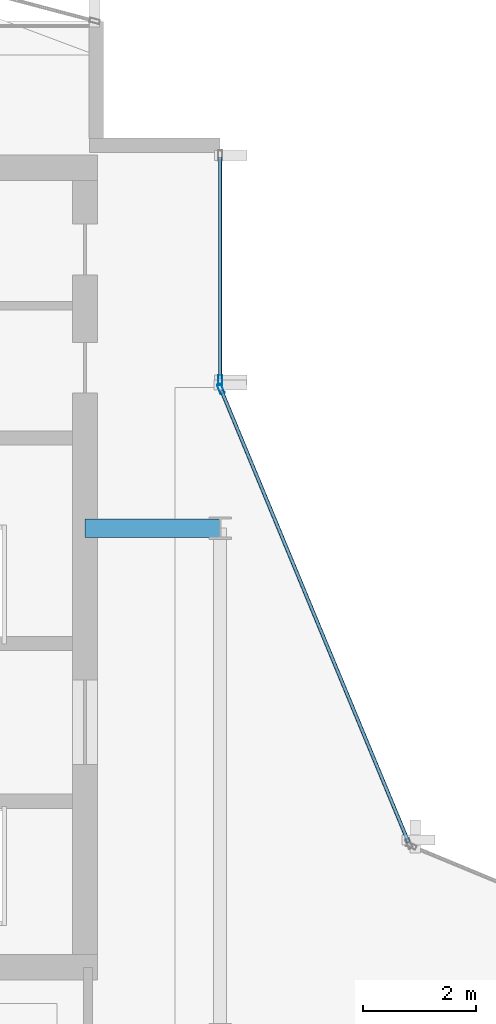
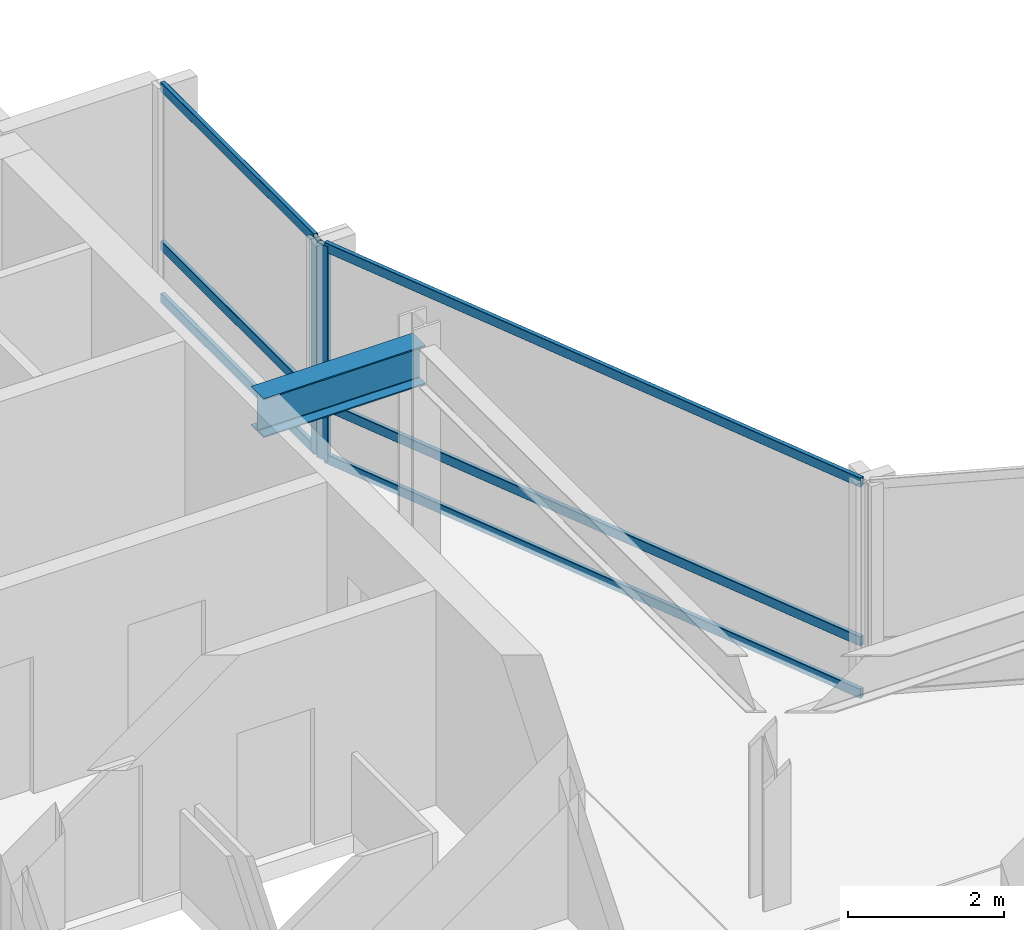
# One storey, part 17 of 27: 8 members, 1 beam, 2 elements without a shape of their own.
"""IFC4 building model written with IfcOpenShell, lengths in metres."""

import ifcopenshell
import ifcopenshell.guid

model = None  # the IFC model being written
_history = None  # IfcOwnerHistory: only IFC2X3 demands one
_inside = {}  # id of a spatial element -> (the spatial element, [elements in it])
_under = {}  # id of a project, library or spatial element -> (it, [spatial elements below it])
_declared = {}  # id of a project -> (the project, [libraries it declares])
_typed = {}  # id of a type object -> (the type object, [elements of that type])
_made_of = {}  # id of a material, layer set ... -> (it, [elements and type objects made of it])


def new_model(schema):
    """Start an empty IFC model of exactly this schema.

    Asked for "IFC4X3", IfcOpenShell would pick the latest addendum, in which some entities
    have other attributes; the version numbers below select the first issue.
    IFC2X3 requires an IfcOwnerHistory on every rooted entity: one is made here for all.
    """
    global model, _history
    if schema == "IFC4X3":
        model = ifcopenshell.file(schema_version=(4, 3, 0, 0))
    else:
        model = ifcopenshell.file(schema=schema)
    _inside.clear()
    _under.clear()
    _declared.clear()
    _typed.clear()
    _made_of.clear()
    _history = None
    if model.schema == "IFC2X3":
        org = make("IfcOrganization", Name="unknown")
        user = make(
            "IfcPersonAndOrganization",
            ThePerson=make("IfcPerson", FamilyName="unknown"),
            TheOrganization=org,
        )
        app = make(
            "IfcApplication",
            ApplicationDeveloper=org,
            Version="unknown",
            ApplicationFullName="unknown",
            ApplicationIdentifier="unknown",
        )
        _history = make(
            "IfcOwnerHistory",
            OwningUser=user,
            OwningApplication=app,
            ChangeAction="ADDED",
            CreationDate=0,
        )
    return model


def make(cls, **values):
    """One entity of the class cls with the attributes given. An attribute that is None is left unset."""
    return model.create_entity(
        cls, **{name: value for name, value in values.items() if value is not None}
    )


def rooted(cls, **values):
    """An entity with a GlobalId (a new one), such as an element, a storey or a relation."""
    return make(cls, GlobalId=ifcopenshell.guid.new(), OwnerHistory=_history, **values)


def si_unit(unit_type, name, prefix=None):
    """IfcSIUnit, for example si_unit("LENGTHUNIT", "METRE", prefix="MILLI")."""
    return make("IfcSIUnit", UnitType=unit_type, Prefix=prefix, Name=name)


def assignment(units):
    """IfcUnitAssignment: the units of a project."""
    return None if units is None else make("IfcUnitAssignment", Units=units)


def point(xyz):
    """IfcCartesianPoint."""
    return None if xyz is None else make("IfcCartesianPoint", Coordinates=xyz)


def direction(xyz):
    """IfcDirection."""
    return None if xyz is None else make("IfcDirection", DirectionRatios=xyz)


def frame(location, z_axis=None, x_axis=None):
    """IfcAxis2Placement3D, a coordinate frame: its origin and axes. An axis left out is left unset."""
    return make(
        "IfcAxis2Placement3D",
        Location=point(location),
        Axis=direction(z_axis),
        RefDirection=direction(x_axis),
    )


def frame_2d(location, x_axis=None):
    """IfcAxis2Placement2D, a coordinate frame in the plane: its origin and x axis."""
    return make(
        "IfcAxis2Placement2D", Location=point(location), RefDirection=direction(x_axis)
    )


def origin():
    """The frame at (0, 0, 0) with its axes left unset."""
    return frame((0.0, 0.0, 0.0))


def origin_2d():
    """The frame at (0, 0) in the plane with its x axis left unset."""
    return frame_2d((0.0, 0.0))


def place(relative_to, where):
    """IfcLocalPlacement: puts the frame where relative to a parent placement (None: the world)."""
    return make(
        "IfcLocalPlacement", PlacementRelTo=relative_to, RelativePlacement=where
    )


def context(
    kind, dimensions, precision=None, world=None, true_north=None, identifier=None
):
    """IfcGeometricRepresentationContext, for example the 3D "Model" context."""
    return make(
        "IfcGeometricRepresentationContext",
        ContextIdentifier=identifier,
        ContextType=kind,
        CoordinateSpaceDimension=dimensions,
        Precision=precision,
        WorldCoordinateSystem=world,
        TrueNorth=true_north,
    )


def subcontext(parent, identifier, kind, view, scale=None):
    """IfcGeometricRepresentationSubContext, for example "Body" below "Model"."""
    return make(
        "IfcGeometricRepresentationSubContext",
        ContextIdentifier=identifier,
        ContextType=kind,
        ParentContext=parent,
        TargetScale=scale,
        TargetView=view,
    )


def project(units=None, contexts=None):
    """IfcProject with its units and contexts."""
    return rooted(
        "IfcProject",
        Name="project",
        RepresentationContexts=contexts,
        UnitsInContext=assignment(units),
    )


def spatial(cls, under=None, at=None, **own):
    """A site, building, storey or space (cls), placed at a placement, below another one or the project."""
    s = rooted(cls, ObjectPlacement=at, **own)
    if under is not None:
        _under.setdefault(under.id(), (under, []))[1].append(s)
    return s


def profile(cls, at=None, kind="AREA", **sizes):
    """A parametric profile (cls). Its sizes go by their IFC names, for example OverallWidth=200.0."""
    return make(cls, ProfileType=kind, Position=at, **sizes)


def hollow_rectangle(**sizes):
    """IfcRectangleHollowProfileDef."""
    return profile("IfcRectangleHollowProfileDef", **sizes)


def i_section(**sizes):
    """IfcIShapeProfileDef."""
    return profile("IfcIShapeProfileDef", **sizes)


def extrude(swept, where, along, depth):
    """IfcExtrudedAreaSolid: the profile swept, set in the frame where, extruded along a direction by depth."""
    return make(
        "IfcExtrudedAreaSolid",
        SweptArea=swept,
        Position=where,
        ExtrudedDirection=direction(along),
        Depth=depth,
    )


def shape(context_of_items, identifier, shape_type, items):
    """IfcShapeRepresentation: the items that make up one representation, for example the "Body"."""
    return make(
        "IfcShapeRepresentation",
        ContextOfItems=context_of_items,
        RepresentationIdentifier=identifier,
        RepresentationType=shape_type,
        Items=items,
    )


def material(Name=None, Category=None):
    """IfcMaterial."""
    return make("IfcMaterial", Name=Name, Category=Category)


def layer(
    of_material, thickness, ventilated=None, Name=None, Category=None, Priority=None
):
    """IfcMaterialLayer: one layer of a wall or slab, of a material (None: an air gap)."""
    return make(
        "IfcMaterialLayer",
        Material=of_material,
        LayerThickness=thickness,
        IsVentilated=ventilated,
        Name=Name,
        Category=Category,
        Priority=Priority,
    )


def layer_set(layers, Name=None):
    """IfcMaterialLayerSet."""
    return make("IfcMaterialLayerSet", MaterialLayers=layers, LayerSetName=Name)


def material_profile(
    of_material, cross_section, Name=None, Category=None, Priority=None
):
    """IfcMaterialProfile: a cross section and its material."""
    return make(
        "IfcMaterialProfile",
        Name=Name,
        Material=of_material,
        Profile=cross_section,
        Priority=Priority,
        Category=Category,
    )


def profile_set(profiles, Name=None, composite=None):
    """IfcMaterialProfileSet."""
    return make(
        "IfcMaterialProfileSet",
        Name=Name,
        MaterialProfiles=profiles,
        CompositeProfile=composite,
    )


def made_of(thing, what):
    """Note that an element or type object is made of a material, layer set ...; save() writes the relation."""
    if what is not None:
        _made_of.setdefault(what.id(), (what, []))[1].append(thing)
    return thing


def type_object(cls, material=None, **own):
    """A type object (cls), such as IfcWallType, which elements share."""
    return made_of(rooted(cls, **own), material)


def element(
    cls,
    number,
    at=None,
    inside=None,
    cuts=None,
    type_object=None,
    material=None,
    context=None,
    identifier="Body",
    shape_type=None,
    held_by="IfcProductDefinitionShape",
    body=None,
    shapes=None,
    **own,
):
    """One element of the class cls, such as IfcWall. Its Tag is "e" and its number.

    at: its placement. inside: the storey or other place that contains it. cuts: it is an
    opening in that element (IfcRelVoidsElement). A single representation is given by context,
    identifier, shape_type and body (its items); several are given by shapes. held_by: the class
    of the entity that holds the representations. save() writes the other relations.
    """
    e = rooted(cls, Tag="e%d" % number, ObjectPlacement=at, **own)
    if body is not None:
        shapes = [shape(context, identifier, shape_type, body)]
    if shapes is not None:
        e.Representation = make(held_by, Representations=shapes)
    if inside is not None:
        _inside.setdefault(inside.id(), (inside, []))[1].append(e)
    if cuts is not None:
        rooted(
            "IfcRelVoidsElement", RelatingBuildingElement=cuts, RelatedOpeningElement=e
        )
    if type_object is not None:
        _typed.setdefault(type_object.id(), (type_object, []))[1].append(e)
    return made_of(e, material)


def aggregate(whole, parts):
    """IfcRelAggregates: a whole, such as a stair, and the parts it consists of."""
    return rooted("IfcRelAggregates", RelatingObject=whole, RelatedObjects=parts)


def save(model, path):
    """Write the relations noted so far, then the file.

    IfcRelAggregates (storeys below a building ...), IfcRelContainedInSpatialStructure (elements
    in a storey), IfcRelDefinesByType, IfcRelAssociatesMaterial and IfcRelDeclares: one each for
    every whole, place, type object, material and project.
    """
    for whole, parts in _under.values():
        aggregate(whole, parts)
    for where, things in _inside.values():
        rooted(
            "IfcRelContainedInSpatialStructure",
            RelatedElements=things,
            RelatingStructure=where,
        )
    for kind, things in _typed.values():
        rooted("IfcRelDefinesByType", RelatedObjects=things, RelatingType=kind)
    for what, things in _made_of.values():
        rooted("IfcRelAssociatesMaterial", RelatedObjects=things, RelatingMaterial=what)
    for by, libraries in _declared.values():
        rooted("IfcRelDeclares", RelatingContext=by, RelatedDefinitions=libraries)
    model.write(path)


model = new_model("IFC4")

# Units and contexts
model_context = context("Model", 3, precision=1e-05, world=origin(), true_north=direction((0.0, 1.0)))
body_context = subcontext(model_context, "Body", "Model", "MODEL_VIEW")
ifc_project = project(units=[si_unit("LENGTHUNIT", "METRE"), si_unit("AREAUNIT", "SQUARE_METRE"), si_unit("VOLUMEUNIT", "CUBIC_METRE"), si_unit("PLANEANGLEUNIT", "RADIAN"), si_unit("MASSUNIT", "GRAM", prefix="KILO")], contexts=[model_context])

# Site, building, storey
site_placement = place(None, origin())
site = spatial("IfcSite", under=ifc_project, at=site_placement, CompositionType="ELEMENT")
building_placement = place(site_placement, origin())
building = spatial("IfcBuilding", under=site, at=building_placement, Name="Solvaryn Broadcast Tower", CompositionType="ELEMENT")
storey_placement = place(building_placement, frame((0.0, 0.0, 232.10009765625)))
storey = spatial("IfcBuildingStorey", under=building, at=storey_placement, Name="L58", CompositionType="ELEMENT", Elevation=232.10009765625)

# Beam
ifc_material_1 = material(Name="Steel ASTM A992 Grade 50", Category="steel")
ifc_material_profile_1 = material_profile(ifc_material_1, i_section(OverallWidth=0.323974609375, OverallDepth=0.611083984375, WebThickness=0.0126953125, FlangeThickness=0.01904296875, FilletRadius=0.014892578125, at=origin_2d()))
ifc_profile_set_1 = profile_set([ifc_material_profile_1], Name="Steel ASTM A992 Grade 50")
beam_type = type_object("IfcBeamType", Name="BM-B1-W24X104", PredefinedType="BEAM", material=ifc_profile_set_1)
beam_placement = place(storey_placement, frame((24.60009765625, 36.0, 3.064453125), z_axis=(1.0, 0.0, 0.0), x_axis=(0.0, 1.0, 0.0)))
element("IfcBeam", 1, at=beam_placement, inside=storey, type_object=beam_type, Name="L58 Core Tie Beam CTW2", PredefinedType="BEAM", context=body_context, shape_type="SweptSolid", body=[
    extrude(i_section(OverallWidth=0.323974609375, OverallDepth=0.611083984375, WebThickness=0.0126953125, FlangeThickness=0.01904296875, FilletRadius=0.014892578125, at=origin_2d()), origin(), (0.0, 0.0, 1.0), 2.39990234375),
])

# Curtain wall, member
ifc_material_2 = material(Name="Aluminium and Terracotta Unitised Curtain Wall", Category="masonry")
ifc_layer = layer(ifc_material_2, 0.199951171875)
ifc_layer_set = layer_set([ifc_layer], Name="CW-SYS2-LOWMID")
curtain_wall_type = type_object("IfcCurtainWallType", Name="CW-SYS2-LOWMID", PredefinedType="NOTDEFINED", material=ifc_layer_set)
curtain_wall_1_placement = place(storey_placement, origin())
curtain_wall_1 = element("IfcCurtainWall", 2, at=curtain_wall_1_placement, inside=storey, type_object=curtain_wall_type, Name="L58 Curtain Wall IV", PredefinedType="NOTDEFINED")
ifc_material_3 = material(Name="Anodised Aluminium 6063-T6", Category="aluminium")
ifc_material_profile_2 = material_profile(ifc_material_3, hollow_rectangle(XDim=0.074951171875, YDim=0.179931640625, WallThickness=0.00390625, InnerFilletRadius=0.00390625, OuterFilletRadius=0.008056640625, at=origin_2d()))
ifc_profile_set_2 = profile_set([ifc_material_profile_2], Name="Anodised Aluminium 6063-T6")
member_type_1 = type_object("IfcMemberType", Name="CW-MUL-180", PredefinedType="MULLION", material=ifc_profile_set_2)
member_1_placement = place(storey_placement, frame((27.0, 38.6298828125, 0.0), z_axis=(0.0, 0.0, 1.0), x_axis=(1.0, 0.0, 0.0)))
member_1 = element("IfcMember", 3, at=member_1_placement, type_object=member_type_1, Name="CWS2 mullion 2", PredefinedType="MULLION", context=body_context, shape_type="SweptSolid", body=[
    extrude(hollow_rectangle(XDim=0.074951171875, YDim=0.179931640625, WallThickness=0.00390625, InnerFilletRadius=0.00390625, OuterFilletRadius=0.008056640625, at=origin_2d()), origin(), (0.0, 0.0, 1.0), 3.369873046875),
])

curtain_wall_2_placement = place(storey_placement, origin())
curtain_wall_2 = element("IfcCurtainWall", 4, at=curtain_wall_2_placement, inside=storey, type_object=curtain_wall_type, Name="L58 Curtain Wall CN2", PredefinedType="NOTDEFINED")
member_2_placement = place(storey_placement, frame((27.011474609375, 38.47216796875, 0.0), z_axis=(0.0, 0.0, 1.0), x_axis=(-0.923894983957, -0.382646127145, 0.0)))
member_2 = element("IfcMember", 5, at=member_2_placement, type_object=member_type_1, Name="CWS2 mullion 2", PredefinedType="MULLION", context=body_context, shape_type="SweptSolid", body=[
    extrude(hollow_rectangle(XDim=0.074951171875, YDim=0.179931640625, WallThickness=0.00390625, InnerFilletRadius=0.00390625, OuterFilletRadius=0.008056640625, at=origin_2d()), origin(), (0.0, 0.0, 1.0), 3.369873046875),
])

# Member
ifc_material_4 = material(Name="Anodised Aluminium 6063-T6", Category="aluminium")
ifc_material_profile_3 = material_profile(ifc_material_4, hollow_rectangle(XDim=0.06494140625, YDim=0.14990234375, WallThickness=0.00390625, InnerFilletRadius=0.00390625, OuterFilletRadius=0.008056640625, at=origin_2d()))
ifc_profile_set_3 = profile_set([ifc_material_profile_3], Name="Anodised Aluminium 6063-T6")
member_type_2 = type_object("IfcMemberType", Name="CW-TRN-150", PredefinedType="USERDEFINED", material=ifc_profile_set_3)
member_3_placement = place(storey_placement, frame((27.0, 42.590087890625, 0.02978515625), z_axis=(0.0, -1.0, 0.0), x_axis=(1.0, 0.0, 0.0)))
member_3 = element("IfcMember", 6, at=member_3_placement, type_object=member_type_2, Name="CWS2 transom 1.1", ObjectType="TRANSOM", PredefinedType="USERDEFINED", context=body_context, shape_type="SweptSolid", body=[
    extrude(hollow_rectangle(XDim=0.06494140625, YDim=0.14990234375, WallThickness=0.00390625, InnerFilletRadius=0.00390625, OuterFilletRadius=0.008056640625, at=origin_2d()), origin(), (0.0, 0.0, 1.0), 3.93017578125),
])

member_4_placement = place(storey_placement, frame((27.0, 42.590087890625, 0.849853515625), z_axis=(0.0, -1.0, 0.0), x_axis=(1.0, 0.0, 0.0)))
member_4 = element("IfcMember", 7, at=member_4_placement, type_object=member_type_2, Name="CWS2 transom 1.2", ObjectType="TRANSOM", PredefinedType="USERDEFINED", context=body_context, shape_type="SweptSolid", body=[
    extrude(hollow_rectangle(XDim=0.06494140625, YDim=0.14990234375, WallThickness=0.00390625, InnerFilletRadius=0.00390625, OuterFilletRadius=0.008056640625, at=origin_2d()), origin(), (0.0, 0.0, 1.0), 3.93017578125),
])

member_5_placement = place(storey_placement, frame((27.0, 42.590087890625, 3.33984375), z_axis=(0.0, -1.0, 0.0), x_axis=(1.0, 0.0, 0.0)))
member_5 = element("IfcMember", 8, at=member_5_placement, type_object=member_type_2, Name="CWS2 transom 1.3", ObjectType="TRANSOM", PredefinedType="USERDEFINED", context=body_context, shape_type="SweptSolid", body=[
    extrude(hollow_rectangle(XDim=0.06494140625, YDim=0.14990234375, WallThickness=0.00390625, InnerFilletRadius=0.00390625, OuterFilletRadius=0.008056640625, at=origin_2d()), origin(), (0.0, 0.0, 1.0), 3.93017578125),
])

aggregate(curtain_wall_1, [member_1, member_3, member_4, member_5])

member_6_placement = place(storey_placement, frame((30.344970703125, 30.42333984375, 0.02978515625), z_axis=(-0.382635748975, 0.923899282177, 0.0), x_axis=(-0.923899282177, -0.382635748975, 0.0)))
member_6 = element("IfcMember", 9, at=member_6_placement, type_object=member_type_2, Name="CWS2 transom 1.1", ObjectType="TRANSOM", PredefinedType="USERDEFINED", context=body_context, shape_type="SweptSolid", body=[
    extrude(hollow_rectangle(XDim=0.06494140625, YDim=0.14990234375, WallThickness=0.00390625, InnerFilletRadius=0.00390625, OuterFilletRadius=0.008056640625, at=origin_2d()), origin(), (0.0, 0.0, 1.0), 8.681884765625),
])

member_7_placement = place(storey_placement, frame((30.344970703125, 30.42333984375, 0.849853515625), z_axis=(-0.382635748975, 0.923899282177, 0.0), x_axis=(-0.923899282177, -0.382635748975, 0.0)))
member_7 = element("IfcMember", 10, at=member_7_placement, type_object=member_type_2, Name="CWS2 transom 1.2", ObjectType="TRANSOM", PredefinedType="USERDEFINED", context=body_context, shape_type="SweptSolid", body=[
    extrude(hollow_rectangle(XDim=0.06494140625, YDim=0.14990234375, WallThickness=0.00390625, InnerFilletRadius=0.00390625, OuterFilletRadius=0.008056640625, at=origin_2d()), origin(), (0.0, 0.0, 1.0), 8.681884765625),
])

member_8_placement = place(storey_placement, frame((30.344970703125, 30.42333984375, 3.33984375), z_axis=(-0.382635748975, 0.923899282177, 0.0), x_axis=(-0.923899282177, -0.382635748975, 0.0)))
member_8 = element("IfcMember", 11, at=member_8_placement, type_object=member_type_2, Name="CWS2 transom 1.3", ObjectType="TRANSOM", PredefinedType="USERDEFINED", context=body_context, shape_type="SweptSolid", body=[
    extrude(hollow_rectangle(XDim=0.06494140625, YDim=0.14990234375, WallThickness=0.00390625, InnerFilletRadius=0.00390625, OuterFilletRadius=0.008056640625, at=origin_2d()), origin(), (0.0, 0.0, 1.0), 8.681884765625),
])

aggregate(curtain_wall_2, [member_2, member_6, member_7, member_8])

save(model, "model.ifc")
